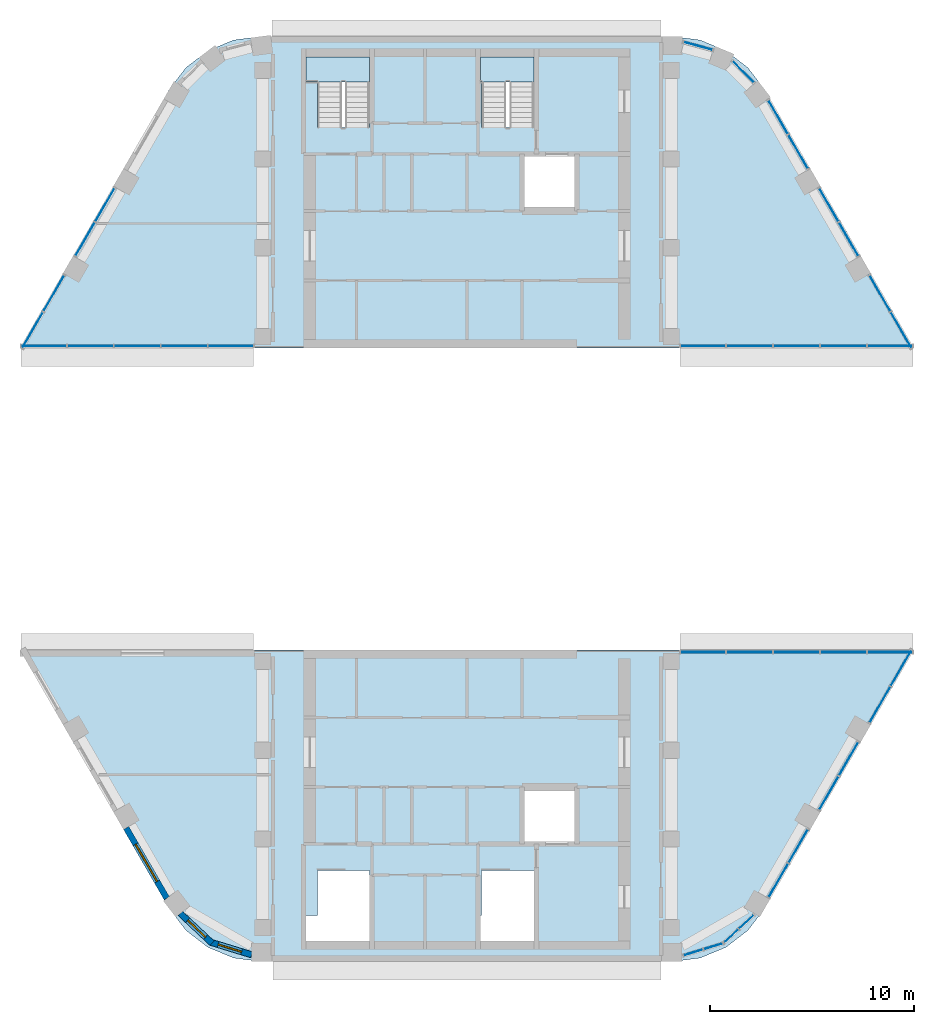
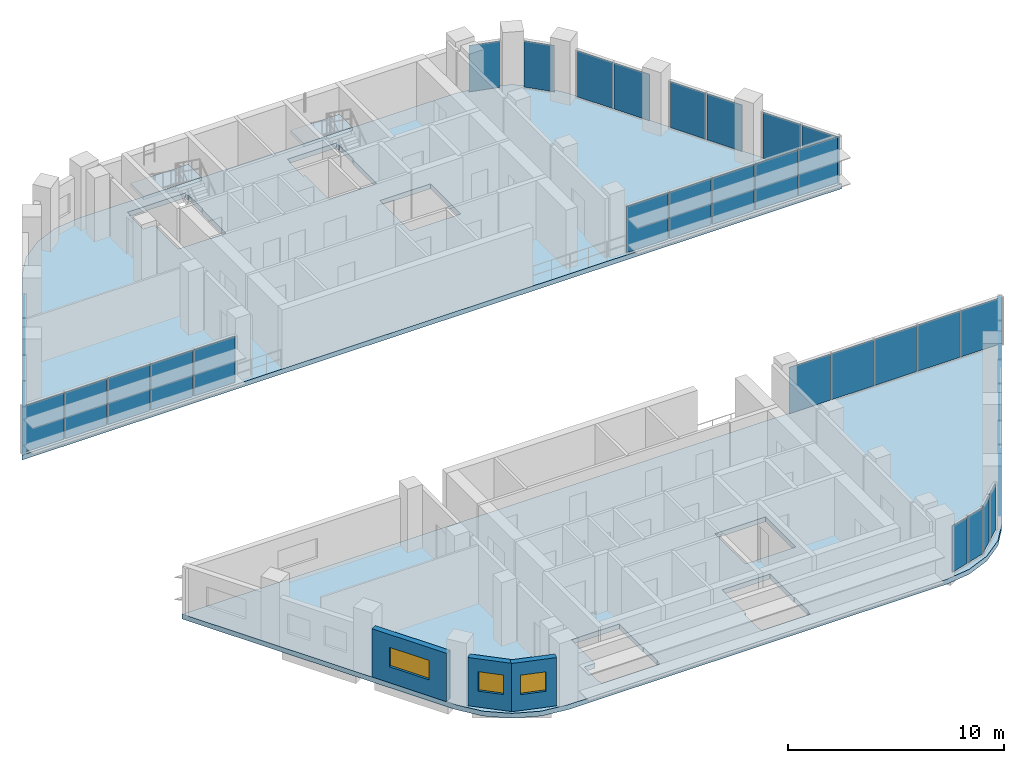
# One storey, part 7 of 13: 37 plates, 4 slabs, 3 walls, 3 windows, 3 openings, 17 elements without a shape of their own.
"""IFC4 building model written with IfcOpenShell, lengths in metres."""

from ifc_helpers import new_model, si_unit, direction, frame, frame_2d, origin, origin_2d, place, context, subcontext, project, spatial, polyline, rectangle, outline, extrude, material, layer, layer_set, type_object, element, fill, aggregate, save


model = new_model("IFC4")

# Units and contexts
model_context = context("Model", 3, precision=1e-05, world=origin(), true_north=direction((0.0, 1.0)))
body_context = subcontext(model_context, "Body", "Model", "MODEL_VIEW")
ifc_project = project(units=[si_unit("LENGTHUNIT", "METRE"), si_unit("AREAUNIT", "SQUARE_METRE"), si_unit("VOLUMEUNIT", "CUBIC_METRE"), si_unit("PLANEANGLEUNIT", "RADIAN"), si_unit("MASSUNIT", "GRAM", prefix="KILO")], contexts=[model_context])

# Site, building, storey
site_placement = place(None, origin())
site = spatial("IfcSite", under=ifc_project, at=site_placement, CompositionType="ELEMENT")
building_placement = place(site_placement, origin())
building = spatial("IfcBuilding", under=site, at=building_placement, Name="Nakaniwa Court", CompositionType="ELEMENT")
storey_placement = place(building_placement, frame((0.0, 0.0, 286.800048828125)))
storey = spatial("IfcBuildingStorey", under=building, at=storey_placement, Name="C05", CompositionType="ELEMENT", Elevation=286.800048828125)

# Slabs
ifc_material_1 = material(Name="Concrete C80/100", Category="concrete")
ifc_layer_1 = layer(ifc_material_1, 0.27490234375)
ifc_layer_set_1 = layer_set([ifc_layer_1], Name="Concrete C80/100")
slab_type_1 = type_object("IfcSlabType", Name="Concrete C80/100 post tensioned floor slab 275", PredefinedType="FLOOR", material=ifc_layer_set_1)
slab_1_placement = place(storey_placement, frame((0.0, 0.0, -0.275146484375)))
element("IfcSlab", 1, at=slab_1_placement, inside=storey, type_object=slab_type_1, Name="FLOOR SLAB", PredefinedType="FLOOR", context=body_context, shape_type="SweptSolid", body=[
    extrude(outline(polyline([(93.751708984375, 58.873046875), (94.578125, 59.949951171875), (101.881591796875, 72.60009765625), (58.118408203125, 72.60009765625), (65.421875, 59.949951171875), (66.248291015625, 58.873046875), (67.3251953125, 58.046630859375), (68.579345703125, 57.527099609375), (69.92529296875, 57.35009765625), (90.07470703125, 57.35009765625), (91.420654296875, 57.527099609375), (92.6748046875, 58.046630859375), (93.751708984375, 58.873046875)]), holes=[polyline([(75.22509765625, 58.31005859375), (75.264892578125, 58.31005859375), (75.264892578125, 59.614990234375), (75.22509765625, 59.614990234375), (75.22509765625, 61.81005859375), (72.675048828125, 61.81005859375), (72.675048828125, 59.614990234375), (72.0849609375, 59.614990234375), (72.0849609375, 58.31005859375), (72.125, 58.31005859375), (72.125, 58.074951171875), (75.22509765625, 58.074951171875), (75.22509765625, 58.31005859375)]), polyline([(83.27490234375, 58.31005859375), (83.31494140625, 58.31005859375), (83.31494140625, 59.614990234375), (83.27490234375, 59.614990234375), (83.27490234375, 61.81005859375), (80.72509765625, 61.81005859375), (80.72509765625, 59.614990234375), (80.635009765625, 59.614990234375), (80.635009765625, 58.31005859375), (80.675048828125, 58.31005859375), (80.675048828125, 58.074951171875), (83.27490234375, 58.074951171875), (83.27490234375, 58.31005859375)]), polyline([(82.699951171875, 63.10009765625), (85.39990234375, 63.10009765625), (85.39990234375, 65.89990234375), (82.699951171875, 65.89990234375), (82.699951171875, 63.10009765625)])]), origin(), (0.0, 0.0, 1.0), 0.275146484375),
])
slab_2_placement = place(storey_placement, frame((0.0, 0.0, -0.275146484375)))
element("IfcSlab", 2, at=slab_2_placement, inside=storey, type_object=slab_type_1, Name="FLOOR SLAB", PredefinedType="FLOOR", context=body_context, shape_type="SweptSolid", body=[
    extrude(outline(polyline([(66.248291015625, 101.126953125), (65.421875, 100.050048828125), (58.118408203125, 87.39990234375), (101.881591796875, 87.39990234375), (94.578125, 100.050048828125), (93.751708984375, 101.126953125), (92.6748046875, 101.953369140625), (91.420654296875, 102.472900390625), (90.07470703125, 102.64990234375), (69.92529296875, 102.64990234375), (68.579345703125, 102.472900390625), (67.3251953125, 101.953369140625), (66.248291015625, 101.126953125)]), holes=[polyline([(85.39990234375, 94.10009765625), (85.39990234375, 96.89990234375), (82.699951171875, 96.89990234375), (82.699951171875, 94.10009765625), (85.39990234375, 94.10009765625)]), polyline([(75.22509765625, 98.18994140625), (75.22509765625, 100.385009765625), (75.264892578125, 100.385009765625), (75.264892578125, 101.68994140625), (75.22509765625, 101.68994140625), (75.22509765625, 101.925048828125), (72.125, 101.925048828125), (72.125, 101.68994140625), (72.0849609375, 101.68994140625), (72.0849609375, 100.385009765625), (72.675048828125, 100.385009765625), (72.675048828125, 98.18994140625), (75.22509765625, 98.18994140625)]), polyline([(83.27490234375, 100.385009765625), (83.31494140625, 100.385009765625), (83.31494140625, 101.68994140625), (83.27490234375, 101.68994140625), (83.27490234375, 101.925048828125), (80.675048828125, 101.925048828125), (80.675048828125, 101.68994140625), (80.635009765625, 101.68994140625), (80.635009765625, 100.385009765625), (80.72509765625, 100.385009765625), (80.72509765625, 98.18994140625), (83.27490234375, 98.18994140625), (83.27490234375, 100.385009765625)])]), origin(), (0.0, 0.0, 1.0), 0.275146484375),
])

# Curtain wall, plates
ifc_material_2 = material(Name="Black anodised aluminium frame with dark low-E laminated double glazing", Category="aluminium")
ifc_layer_2 = layer(ifc_material_2, 0.199951171875)
ifc_layer_set_2 = layer_set([ifc_layer_2], Name="Black anodised aluminium frame with dark low-E laminated double glazing")
curtain_wall_type = type_object("IfcCurtainWallType", Name="Crown curtain wall", PredefinedType="NOTDEFINED", material=ifc_layer_set_2)
curtain_wall_1_placement = place(storey_placement, origin())
curtain_wall_1 = element("IfcCurtainWall", 3, at=curtain_wall_1_placement, inside=storey, type_object=curtain_wall_type, Name="C05 curtain wall CW4 00", PredefinedType="NOTDEFINED")
ifc_material_3 = material(Name="Dark toughened glass", Category="glass")
ifc_layer_3 = layer(ifc_material_3, 0.007, Name="Outer pane")
ifc_material_4 = material(Name="Argon filled cavity")
ifc_layer_4 = layer(ifc_material_4, 0.016, Name="Cavity")
ifc_material_5 = material(Name="Dark laminated safety glass", Category="glass")
ifc_layer_5 = layer(ifc_material_5, 0.007, Name="Inner pane")
ifc_layer_set_3 = layer_set([ifc_layer_3, ifc_layer_4, ifc_layer_5], Name="Dark low-E laminated double glazing")
plate_type = type_object("IfcPlateType", Name="Crown curtain wall glass panel", PredefinedType="CURTAIN_PANEL", material=ifc_layer_set_3)
plate_1_placement = place(storey_placement, frame((95.25537109375, 61.322998046875, 0.05517578125), z_axis=(0.0, 0.0, 1.0), x_axis=(0.499986540445, 0.866033174523, 0.0)))
plate_1 = element("IfcPlate", 4, at=plate_1_placement, type_object=plate_type, Name="CW4 panel 1.1", PredefinedType="CURTAIN_PANEL", context=body_context, shape_type="SweptSolid", body=[
    extrude(rectangle(XDim=1.874755859375, YDim=0.030029296875, at=origin_2d()), origin(), (0.0, 0.0, 1.0), 2.614990234375),
])
plate_2_placement = place(storey_placement, frame((96.22509765625, 63.0029296875, 0.05517578125), z_axis=(0.0, 0.0, 1.0), x_axis=(0.499986540445, 0.866033174523, 0.0)))
plate_2 = element("IfcPlate", 5, at=plate_2_placement, type_object=plate_type, Name="CW4 panel 2.1", PredefinedType="CURTAIN_PANEL", context=body_context, shape_type="SweptSolid", body=[
    extrude(rectangle(XDim=1.874755859375, YDim=0.030029296875, at=origin_2d()), origin(), (0.0, 0.0, 1.0), 2.614990234375),
])
aggregate(curtain_wall_1, [plate_1, plate_2])

curtain_wall_2_placement = place(storey_placement, origin())
curtain_wall_2 = element("IfcCurtainWall", 6, at=curtain_wall_2_placement, inside=storey, type_object=curtain_wall_type, Name="C05 curtain wall CW4 01", PredefinedType="NOTDEFINED")
plate_3_placement = place(storey_placement, frame((97.723388671875, 65.597900390625, 0.05517578125), z_axis=(0.0, 0.0, 1.0), x_axis=(0.499986540445, 0.866033174523, 0.0)))
plate_3 = element("IfcPlate", 7, at=plate_3_placement, type_object=plate_type, Name="CW4 panel 1.1", PredefinedType="CURTAIN_PANEL", context=body_context, shape_type="SweptSolid", body=[
    extrude(rectangle(XDim=1.874755859375, YDim=0.030029296875, at=origin_2d()), origin(), (0.0, 0.0, 1.0), 2.614990234375),
])
plate_4_placement = place(storey_placement, frame((98.693359375, 67.27783203125, 0.05517578125), z_axis=(0.0, 0.0, 1.0), x_axis=(0.499986540445, 0.866033174523, 0.0)))
plate_4 = element("IfcPlate", 8, at=plate_4_placement, type_object=plate_type, Name="CW4 panel 2.1", PredefinedType="CURTAIN_PANEL", context=body_context, shape_type="SweptSolid", body=[
    extrude(rectangle(XDim=1.874755859375, YDim=0.030029296875, at=origin_2d()), origin(), (0.0, 0.0, 1.0), 2.614990234375),
])
aggregate(curtain_wall_2, [plate_3, plate_4])

curtain_wall_3_placement = place(storey_placement, origin())
curtain_wall_3 = element("IfcCurtainWall", 9, at=curtain_wall_3_placement, inside=storey, type_object=curtain_wall_type, Name="C05 curtain wall CW4 02", PredefinedType="NOTDEFINED")
plate_5_placement = place(storey_placement, frame((100.224609375, 69.93017578125, 0.05517578125), z_axis=(0.0, 0.0, 1.0), x_axis=(0.500007626024, 0.866021000852, 0.0)))
plate_5 = element("IfcPlate", 10, at=plate_5_placement, type_object=plate_type, Name="CW4 panel 1.1", PredefinedType="CURTAIN_PANEL", context=body_context, shape_type="SweptSolid", body=[
    extrude(rectangle(XDim=2.007080078125, YDim=0.030029296875, at=origin_2d()), origin(), (0.0, 0.0, 1.0), 2.614990234375),
])
plate_6_placement = place(storey_placement, frame((101.2607421875, 71.724609375, 0.05517578125), z_axis=(0.0, 0.0, 1.0), x_axis=(0.500007626024, 0.866021000852, 0.0)))
plate_6 = element("IfcPlate", 11, at=plate_6_placement, type_object=plate_type, Name="CW4 panel 2.1", PredefinedType="CURTAIN_PANEL", context=body_context, shape_type="SweptSolid", body=[
    extrude(rectangle(XDim=2.007080078125, YDim=0.030029296875, at=origin_2d()), origin(), (0.0, 0.0, 1.0), 2.614990234375),
])
aggregate(curtain_wall_3, [plate_5, plate_6])

curtain_wall_4_placement = place(storey_placement, origin())
curtain_wall_4 = element("IfcCurtainWall", 12, at=curtain_wall_4_placement, inside=storey, type_object=curtain_wall_type, Name="C05 curtain wall CW4 03", PredefinedType="NOTDEFINED")
plate_7_placement = place(storey_placement, frame((100.716796875, 72.5, 0.05517578125), z_axis=(0.0, 0.0, 1.0), x_axis=(-1.0, 0.0, 0.0)))
plate_7 = element("IfcPlate", 13, at=plate_7_placement, type_object=plate_type, Name="CW4 panel 1.1", PredefinedType="CURTAIN_PANEL", context=body_context, shape_type="SweptSolid", body=[
    extrude(rectangle(XDim=2.19970703125, YDim=0.030029296875, at=origin_2d()), origin(), (0.0, 0.0, 1.0), 2.614990234375),
])
plate_8_placement = place(storey_placement, frame((98.43603515625, 72.5, 0.05517578125), z_axis=(0.0, 0.0, 1.0), x_axis=(-1.0, 0.0, 0.0)))
plate_8 = element("IfcPlate", 14, at=plate_8_placement, type_object=plate_type, Name="CW4 panel 2.1", PredefinedType="CURTAIN_PANEL", context=body_context, shape_type="SweptSolid", body=[
    extrude(rectangle(XDim=2.232177734375, YDim=0.030029296875, at=origin_2d()), origin(), (0.0, 0.0, 1.0), 2.614990234375),
])
plate_9_placement = place(storey_placement, frame((96.138916015625, 72.5, 0.05517578125), z_axis=(0.0, 0.0, 1.0), x_axis=(-1.0, 0.0, 0.0)))
plate_9 = element("IfcPlate", 15, at=plate_9_placement, type_object=plate_type, Name="CW4 panel 3.1", PredefinedType="CURTAIN_PANEL", context=body_context, shape_type="SweptSolid", body=[
    extrude(rectangle(XDim=2.232177734375, YDim=0.030029296875, at=origin_2d()), origin(), (0.0, 0.0, 1.0), 2.614990234375),
])
plate_10_placement = place(storey_placement, frame((93.841796875, 72.5, 0.05517578125), z_axis=(0.0, 0.0, 1.0), x_axis=(-1.0, 0.0, 0.0)))
plate_10 = element("IfcPlate", 16, at=plate_10_placement, type_object=plate_type, Name="CW4 panel 4.1", PredefinedType="CURTAIN_PANEL", context=body_context, shape_type="SweptSolid", body=[
    extrude(rectangle(XDim=2.232177734375, YDim=0.030029296875, at=origin_2d()), origin(), (0.0, 0.0, 1.0), 2.614990234375),
])
plate_11_placement = place(storey_placement, frame((91.560791015625, 72.5, 0.05517578125), z_axis=(0.0, 0.0, 1.0), x_axis=(-1.0, 0.0, 0.0)))
plate_11 = element("IfcPlate", 17, at=plate_11_placement, type_object=plate_type, Name="CW4 panel 5.1", PredefinedType="CURTAIN_PANEL", context=body_context, shape_type="SweptSolid", body=[
    extrude(rectangle(XDim=2.19970703125, YDim=0.030029296875, at=origin_2d()), origin(), (0.0, 0.0, 1.0), 2.614990234375),
])
aggregate(curtain_wall_4, [plate_7, plate_8, plate_9, plate_10, plate_11])

curtain_wall_5_placement = place(storey_placement, origin())
curtain_wall_5 = element("IfcCurtainWall", 18, at=curtain_wall_5_placement, inside=storey, type_object=curtain_wall_type, Name="C05 curtain wall CW4 11", PredefinedType="NOTDEFINED")
plate_12_placement = place(storey_placement, frame((91.080322265625, 57.797607421875, 0.05517578125), z_axis=(0.0, 0.0, 1.0), x_axis=(0.956093974267, 0.293060253821, 0.0)))
plate_12 = element("IfcPlate", 19, at=plate_12_placement, type_object=plate_type, Name="CW4 panel 1.1", PredefinedType="CURTAIN_PANEL", context=body_context, shape_type="SweptSolid", body=[
    extrude(rectangle(XDim=0.978271484375, YDim=0.030029296875, at=origin_2d()), origin(), (0.0, 0.0, 1.0), 2.614990234375),
])
plate_13_placement = place(storey_placement, frame((92.077880859375, 58.103271484375, 0.05517578125), z_axis=(0.0, 0.0, 1.0), x_axis=(0.956093974267, 0.293060253821, 0.0)))
plate_13 = element("IfcPlate", 20, at=plate_13_placement, type_object=plate_type, Name="CW4 panel 2.1", PredefinedType="CURTAIN_PANEL", context=body_context, shape_type="SweptSolid", body=[
    extrude(rectangle(XDim=0.978271484375, YDim=0.030029296875, at=origin_2d()), origin(), (0.0, 0.0, 1.0), 2.614990234375),
])
aggregate(curtain_wall_5, [plate_12, plate_13])

curtain_wall_6_placement = place(storey_placement, origin())
curtain_wall_6 = element("IfcCurtainWall", 21, at=curtain_wall_6_placement, inside=storey, type_object=curtain_wall_type, Name="C05 curtain wall CW4 12", PredefinedType="NOTDEFINED")
plate_14_placement = place(storey_placement, frame((92.923828125, 58.590576171875, 0.05517578125), z_axis=(0.0, 0.0, 1.0), x_axis=(0.732114316001, 0.681181788002, 0.0)))
plate_14 = element("IfcPlate", 22, at=plate_14_placement, type_object=plate_type, Name="CW4 panel 1.1", PredefinedType="CURTAIN_PANEL", context=body_context, shape_type="SweptSolid", body=[
    extrude(rectangle(XDim=0.9755859375, YDim=0.030029296875, at=origin_2d()), origin(), (0.0, 0.0, 1.0), 2.614990234375),
])
plate_15_placement = place(storey_placement, frame((93.685546875, 59.29931640625, 0.05517578125), z_axis=(0.0, 0.0, 1.0), x_axis=(0.732114316001, 0.681181788002, 0.0)))
plate_15 = element("IfcPlate", 23, at=plate_15_placement, type_object=plate_type, Name="CW4 panel 2.1", PredefinedType="CURTAIN_PANEL", context=body_context, shape_type="SweptSolid", body=[
    extrude(rectangle(XDim=0.9755859375, YDim=0.030029296875, at=origin_2d()), origin(), (0.0, 0.0, 1.0), 2.614990234375),
])
aggregate(curtain_wall_6, [plate_14, plate_15])

curtain_wall_7_placement = place(storey_placement, origin())
curtain_wall_7 = element("IfcCurtainWall", 24, at=curtain_wall_7_placement, inside=storey, type_object=curtain_wall_type, Name="C05 curtain wall CW4 14", PredefinedType="NOTDEFINED")
plate_16_placement = place(storey_placement, frame((62.276611328125, 94.402099609375, 0.05517578125), z_axis=(0.0, 0.0, 1.0), x_axis=(-0.499986540445, -0.866033174523, 0.0)))
plate_16 = element("IfcPlate", 25, at=plate_16_placement, type_object=plate_type, Name="CW4 panel 1.1", PredefinedType="CURTAIN_PANEL", context=body_context, shape_type="SweptSolid", body=[
    extrude(rectangle(XDim=1.874755859375, YDim=0.030029296875, at=origin_2d()), origin(), (0.0, 0.0, 1.0), 2.614990234375),
])
plate_17_placement = place(storey_placement, frame((61.306640625, 92.72216796875, 0.05517578125), z_axis=(0.0, 0.0, 1.0), x_axis=(-0.499986540445, -0.866033174523, 0.0)))
plate_17 = element("IfcPlate", 26, at=plate_17_placement, type_object=plate_type, Name="CW4 panel 2.1", PredefinedType="CURTAIN_PANEL", context=body_context, shape_type="SweptSolid", body=[
    extrude(rectangle(XDim=1.874755859375, YDim=0.030029296875, at=origin_2d()), origin(), (0.0, 0.0, 1.0), 2.614990234375),
])
aggregate(curtain_wall_7, [plate_16, plate_17])

curtain_wall_8_placement = place(storey_placement, origin())
curtain_wall_8 = element("IfcCurtainWall", 27, at=curtain_wall_8_placement, inside=storey, type_object=curtain_wall_type, Name="C05 curtain wall CW4 15", PredefinedType="NOTDEFINED")
plate_18_placement = place(storey_placement, frame((59.775390625, 90.06982421875, 0.05517578125), z_axis=(0.0, 0.0, 1.0), x_axis=(-0.500007626024, -0.866021000852, 0.0)))
plate_18 = element("IfcPlate", 28, at=plate_18_placement, type_object=plate_type, Name="CW4 panel 1.1", PredefinedType="CURTAIN_PANEL", context=body_context, shape_type="SweptSolid", body=[
    extrude(rectangle(XDim=2.007080078125, YDim=0.030029296875, at=origin_2d()), origin(), (0.0, 0.0, 1.0), 2.614990234375),
])
plate_19_placement = place(storey_placement, frame((58.7392578125, 88.275390625, 0.05517578125), z_axis=(0.0, 0.0, 1.0), x_axis=(-0.500007626024, -0.866021000852, 0.0)))
plate_19 = element("IfcPlate", 29, at=plate_19_placement, type_object=plate_type, Name="CW4 panel 2.1", PredefinedType="CURTAIN_PANEL", context=body_context, shape_type="SweptSolid", body=[
    extrude(rectangle(XDim=2.007080078125, YDim=0.030029296875, at=origin_2d()), origin(), (0.0, 0.0, 1.0), 2.614990234375),
])
aggregate(curtain_wall_8, [plate_18, plate_19])

curtain_wall_9_placement = place(storey_placement, origin())
curtain_wall_9 = element("IfcCurtainWall", 30, at=curtain_wall_9_placement, inside=storey, type_object=curtain_wall_type, Name="C05 curtain wall CW4 16", PredefinedType="NOTDEFINED")
plate_20_placement = place(storey_placement, frame((59.283203125, 87.5, 0.05517578125), z_axis=(0.0, 0.0, 1.0), x_axis=(1.0, 0.0, 0.0)))
plate_20 = element("IfcPlate", 31, at=plate_20_placement, type_object=plate_type, Name="CW4 panel 1.1", PredefinedType="CURTAIN_PANEL", context=body_context, shape_type="SweptSolid", body=[
    extrude(rectangle(XDim=2.19970703125, YDim=0.030029296875, at=origin_2d()), origin(), (0.0, 0.0, 1.0), 2.614990234375),
])
plate_21_placement = place(storey_placement, frame((61.56396484375, 87.5, 0.05517578125), z_axis=(0.0, 0.0, 1.0), x_axis=(1.0, 0.0, 0.0)))
plate_21 = element("IfcPlate", 32, at=plate_21_placement, type_object=plate_type, Name="CW4 panel 2.1", PredefinedType="CURTAIN_PANEL", context=body_context, shape_type="SweptSolid", body=[
    extrude(rectangle(XDim=2.232177734375, YDim=0.030029296875, at=origin_2d()), origin(), (0.0, 0.0, 1.0), 2.614990234375),
])
plate_22_placement = place(storey_placement, frame((63.861083984375, 87.5, 0.05517578125), z_axis=(0.0, 0.0, 1.0), x_axis=(1.0, 0.0, 0.0)))
plate_22 = element("IfcPlate", 33, at=plate_22_placement, type_object=plate_type, Name="CW4 panel 3.1", PredefinedType="CURTAIN_PANEL", context=body_context, shape_type="SweptSolid", body=[
    extrude(rectangle(XDim=2.232177734375, YDim=0.030029296875, at=origin_2d()), origin(), (0.0, 0.0, 1.0), 2.614990234375),
])
plate_23_placement = place(storey_placement, frame((66.158203125, 87.5, 0.05517578125), z_axis=(0.0, 0.0, 1.0), x_axis=(1.0, 0.0, 0.0)))
plate_23 = element("IfcPlate", 34, at=plate_23_placement, type_object=plate_type, Name="CW4 panel 4.1", PredefinedType="CURTAIN_PANEL", context=body_context, shape_type="SweptSolid", body=[
    extrude(rectangle(XDim=2.232177734375, YDim=0.030029296875, at=origin_2d()), origin(), (0.0, 0.0, 1.0), 2.614990234375),
])
plate_24_placement = place(storey_placement, frame((68.439208984375, 87.5, 0.05517578125), z_axis=(0.0, 0.0, 1.0), x_axis=(1.0, 0.0, 0.0)))
plate_24 = element("IfcPlate", 35, at=plate_24_placement, type_object=plate_type, Name="CW4 panel 5.1", PredefinedType="CURTAIN_PANEL", context=body_context, shape_type="SweptSolid", body=[
    extrude(rectangle(XDim=2.19970703125, YDim=0.030029296875, at=origin_2d()), origin(), (0.0, 0.0, 1.0), 2.614990234375),
])
aggregate(curtain_wall_9, [plate_20, plate_21, plate_22, plate_23, plate_24])

curtain_wall_10_placement = place(storey_placement, origin())
curtain_wall_10 = element("IfcCurtainWall", 36, at=curtain_wall_10_placement, inside=storey, type_object=curtain_wall_type, Name="C05 curtain wall CW4 17", PredefinedType="NOTDEFINED")
plate_25_placement = place(storey_placement, frame((91.560791015625, 87.5, 0.05517578125), z_axis=(0.0, 0.0, 1.0), x_axis=(1.0, 0.0, 0.0)))
plate_25 = element("IfcPlate", 37, at=plate_25_placement, type_object=plate_type, Name="CW4 panel 1.1", PredefinedType="CURTAIN_PANEL", context=body_context, shape_type="SweptSolid", body=[
    extrude(rectangle(XDim=2.19970703125, YDim=0.030029296875, at=origin_2d()), origin(), (0.0, 0.0, 1.0), 2.614990234375),
])
plate_26_placement = place(storey_placement, frame((93.841796875, 87.5, 0.05517578125), z_axis=(0.0, 0.0, 1.0), x_axis=(1.0, 0.0, 0.0)))
plate_26 = element("IfcPlate", 38, at=plate_26_placement, type_object=plate_type, Name="CW4 panel 2.1", PredefinedType="CURTAIN_PANEL", context=body_context, shape_type="SweptSolid", body=[
    extrude(rectangle(XDim=2.232177734375, YDim=0.030029296875, at=origin_2d()), origin(), (0.0, 0.0, 1.0), 2.614990234375),
])
plate_27_placement = place(storey_placement, frame((96.138916015625, 87.5, 0.05517578125), z_axis=(0.0, 0.0, 1.0), x_axis=(1.0, 0.0, 0.0)))
plate_27 = element("IfcPlate", 39, at=plate_27_placement, type_object=plate_type, Name="CW4 panel 3.1", PredefinedType="CURTAIN_PANEL", context=body_context, shape_type="SweptSolid", body=[
    extrude(rectangle(XDim=2.232177734375, YDim=0.030029296875, at=origin_2d()), origin(), (0.0, 0.0, 1.0), 2.614990234375),
])
plate_28_placement = place(storey_placement, frame((98.43603515625, 87.5, 0.05517578125), z_axis=(0.0, 0.0, 1.0), x_axis=(1.0, 0.0, 0.0)))
plate_28 = element("IfcPlate", 40, at=plate_28_placement, type_object=plate_type, Name="CW4 panel 4.1", PredefinedType="CURTAIN_PANEL", context=body_context, shape_type="SweptSolid", body=[
    extrude(rectangle(XDim=2.232177734375, YDim=0.030029296875, at=origin_2d()), origin(), (0.0, 0.0, 1.0), 2.614990234375),
])
plate_29_placement = place(storey_placement, frame((100.716796875, 87.5, 0.05517578125), z_axis=(0.0, 0.0, 1.0), x_axis=(1.0, 0.0, 0.0)))
plate_29 = element("IfcPlate", 41, at=plate_29_placement, type_object=plate_type, Name="CW4 panel 5.1", PredefinedType="CURTAIN_PANEL", context=body_context, shape_type="SweptSolid", body=[
    extrude(rectangle(XDim=2.19970703125, YDim=0.030029296875, at=origin_2d()), origin(), (0.0, 0.0, 1.0), 2.614990234375),
])
aggregate(curtain_wall_10, [plate_25, plate_26, plate_27, plate_28, plate_29])

curtain_wall_11_placement = place(storey_placement, origin())
curtain_wall_11 = element("IfcCurtainWall", 42, at=curtain_wall_11_placement, inside=storey, type_object=curtain_wall_type, Name="C05 curtain wall CW4 18", PredefinedType="NOTDEFINED")
plate_30_placement = place(storey_placement, frame((101.2607421875, 88.275390625, 0.05517578125), z_axis=(0.0, 0.0, 1.0), x_axis=(-0.500007626024, 0.866021000852, 0.0)))
plate_30 = element("IfcPlate", 43, at=plate_30_placement, type_object=plate_type, Name="CW4 panel 1.1", PredefinedType="CURTAIN_PANEL", context=body_context, shape_type="SweptSolid", body=[
    extrude(rectangle(XDim=2.007080078125, YDim=0.030029296875, at=origin_2d()), origin(), (0.0, 0.0, 1.0), 2.614990234375),
])
plate_31_placement = place(storey_placement, frame((100.224609375, 90.06982421875, 0.05517578125), z_axis=(0.0, 0.0, 1.0), x_axis=(-0.500007626024, 0.866021000852, 0.0)))
plate_31 = element("IfcPlate", 44, at=plate_31_placement, type_object=plate_type, Name="CW4 panel 2.1", PredefinedType="CURTAIN_PANEL", context=body_context, shape_type="SweptSolid", body=[
    extrude(rectangle(XDim=2.007080078125, YDim=0.030029296875, at=origin_2d()), origin(), (0.0, 0.0, 1.0), 2.614990234375),
])
aggregate(curtain_wall_11, [plate_30, plate_31])

curtain_wall_12_placement = place(storey_placement, origin())
curtain_wall_12 = element("IfcCurtainWall", 45, at=curtain_wall_12_placement, inside=storey, type_object=curtain_wall_type, Name="C05 curtain wall CW4 19", PredefinedType="NOTDEFINED")
plate_32_placement = place(storey_placement, frame((98.693359375, 92.72216796875, 0.05517578125), z_axis=(0.0, 0.0, 1.0), x_axis=(-0.499986540445, 0.866033174523, 0.0)))
plate_32 = element("IfcPlate", 46, at=plate_32_placement, type_object=plate_type, Name="CW4 panel 1.1", PredefinedType="CURTAIN_PANEL", context=body_context, shape_type="SweptSolid", body=[
    extrude(rectangle(XDim=1.874755859375, YDim=0.030029296875, at=origin_2d()), origin(), (0.0, 0.0, 1.0), 2.614990234375),
])
plate_33_placement = place(storey_placement, frame((97.723388671875, 94.402099609375, 0.05517578125), z_axis=(0.0, 0.0, 1.0), x_axis=(-0.499986540445, 0.866033174523, 0.0)))
plate_33 = element("IfcPlate", 47, at=plate_33_placement, type_object=plate_type, Name="CW4 panel 2.1", PredefinedType="CURTAIN_PANEL", context=body_context, shape_type="SweptSolid", body=[
    extrude(rectangle(XDim=1.874755859375, YDim=0.030029296875, at=origin_2d()), origin(), (0.0, 0.0, 1.0), 2.614990234375),
])
aggregate(curtain_wall_12, [plate_32, plate_33])

curtain_wall_13_placement = place(storey_placement, origin())
curtain_wall_13 = element("IfcCurtainWall", 48, at=curtain_wall_13_placement, inside=storey, type_object=curtain_wall_type, Name="C05 curtain wall CW4 20", PredefinedType="NOTDEFINED")
plate_34_placement = place(storey_placement, frame((96.220703125, 97.004638671875, 0.05517578125), z_axis=(0.0, 0.0, 1.0), x_axis=(-0.499995809815, 0.866027822975, 0.0)))
plate_34 = element("IfcPlate", 49, at=plate_34_placement, type_object=plate_type, Name="CW4 panel 1.1", PredefinedType="CURTAIN_PANEL", context=body_context, shape_type="SweptSolid", body=[
    extrude(rectangle(XDim=1.892333984375, YDim=0.030029296875, at=origin_2d()), origin(), (0.0, 0.0, 1.0), 2.614990234375),
])
plate_35_placement = place(storey_placement, frame((95.2421875, 98.69970703125, 0.05517578125), z_axis=(0.0, 0.0, 1.0), x_axis=(-0.499995809815, 0.866027822975, 0.0)))
plate_35 = element("IfcPlate", 50, at=plate_35_placement, type_object=plate_type, Name="CW4 panel 2.1", PredefinedType="CURTAIN_PANEL", context=body_context, shape_type="SweptSolid", body=[
    extrude(rectangle(XDim=1.892333984375, YDim=0.030029296875, at=origin_2d()), origin(), (0.0, 0.0, 1.0), 2.614990234375),
])
aggregate(curtain_wall_13, [plate_34, plate_35])

# Curtain wall, plate
curtain_wall_14_placement = place(storey_placement, origin())
curtain_wall_14 = element("IfcCurtainWall", 51, at=curtain_wall_14_placement, inside=storey, type_object=curtain_wall_type, Name="C05 curtain wall CW4 21", PredefinedType="NOTDEFINED")
plate_36_placement = place(storey_placement, frame((93.536865234375, 100.9208984375, 0.05517578125), z_axis=(0.0, 0.0, 1.0), x_axis=(-0.699240623143, 0.714886390238, 0.0)))
plate_36 = element("IfcPlate", 52, at=plate_36_placement, type_object=plate_type, Name="CW4 panel 1.1", PredefinedType="CURTAIN_PANEL", context=body_context, shape_type="SweptSolid", body=[
    extrude(rectangle(XDim=1.4677734375, YDim=0.030029296875, at=origin_2d()), origin(), (0.0, 0.0, 1.0), 2.614990234375),
])
aggregate(curtain_wall_14, [plate_36])

curtain_wall_15_placement = place(storey_placement, origin())
curtain_wall_15 = element("IfcCurtainWall", 53, at=curtain_wall_15_placement, inside=storey, type_object=curtain_wall_type, Name="C05 curtain wall CW4 22", PredefinedType="NOTDEFINED")
plate_37_placement = place(storey_placement, frame((91.31591796875, 102.18505859375, 0.05517578125), z_axis=(0.0, 0.0, 1.0), x_axis=(-0.965375472235, 0.26086432797, 0.0)))
plate_37 = element("IfcPlate", 54, at=plate_37_placement, type_object=plate_type, Name="CW4 panel 1.1", PredefinedType="CURTAIN_PANEL", context=body_context, shape_type="SweptSolid", body=[
    extrude(rectangle(XDim=1.44775390625, YDim=0.030029296875, at=origin_2d()), origin(), (0.0, 0.0, 1.0), 2.614990234375),
])
aggregate(curtain_wall_15, [plate_37])

# Stair, slab
stair_type = type_object("IfcStairType", Name="Dog leg stair 1200 wide 20 risers", PredefinedType="HALF_TURN_STAIR", material=ifc_material_1)
stair_1_placement = place(storey_placement, origin())
stair_1 = element("IfcStair", 55, at=stair_1_placement, inside=storey, type_object=stair_type, Name="C05 Stair ST1", PredefinedType="HALF_TURN_STAIR")
ifc_layer_6 = layer(ifc_material_1, 0.199951171875)
ifc_layer_set_4 = layer_set([ifc_layer_6], Name="Concrete C80/100")
slab_type_2 = type_object("IfcSlabType", Name="Stair landing concrete", PredefinedType="LANDING", material=ifc_layer_set_4)
slab_3_placement = place(storey_placement, frame((0.0, 0.0, 1.599853515625)))
slab_3 = element("IfcSlab", 56, at=slab_3_placement, type_object=slab_type_2, Name="ST1 landing 1", PredefinedType="LANDING", context=body_context, shape_type="SweptSolid", body=[
    extrude(outline(polyline([(75.22509765625, 100.425048828125), (75.22509765625, 101.64990234375), (72.125, 101.64990234375), (72.125, 100.425048828125), (75.22509765625, 100.425048828125)])), origin(), (0.0, 0.0, 1.0), 0.2001953125),
])
aggregate(stair_1, [slab_3])

stair_2_placement = place(storey_placement, origin())
stair_2 = element("IfcStair", 57, at=stair_2_placement, inside=storey, type_object=stair_type, Name="C05 Stair ST2", PredefinedType="HALF_TURN_STAIR")
slab_4_placement = place(storey_placement, frame((0.0, 0.0, 1.599853515625)))
slab_4 = element("IfcSlab", 58, at=slab_4_placement, type_object=slab_type_2, Name="ST2 landing 1", PredefinedType="LANDING", context=body_context, shape_type="SweptSolid", body=[
    extrude(outline(polyline([(83.27490234375, 100.425048828125), (83.27490234375, 101.64990234375), (80.675048828125, 101.64990234375), (80.675048828125, 100.425048828125), (83.27490234375, 100.425048828125)])), origin(), (0.0, 0.0, 1.0), 0.2001953125),
])
aggregate(stair_2, [slab_4])

# Wall, opening, window
ifc_material_6 = material(Name="Charcoal ceramic cladding")
ifc_layer_7 = layer(ifc_material_6, 0.02, Name="Ceramic cladding")
ifc_material_7 = material(Name="Ventilated air cavity")
ifc_layer_8 = layer(ifc_material_7, 0.04, ventilated=True, Name="Ventilated cavity")
ifc_material_8 = material(Name="Mineral wool insulation")
ifc_layer_9 = layer(ifc_material_8, 0.1, Name="Insulation")
ifc_material_9 = material(Name="Cement bonded sheathing board")
ifc_layer_10 = layer(ifc_material_9, 0.012, Name="Sheathing")
ifc_material_10 = material(Name="Cold-formed galvanised stud frame with mineral wool infill")
ifc_layer_11 = layer(ifc_material_10, 0.1, Name="Stud frame")
ifc_material_11 = material(Name="Fire-rated gypsum plasterboard lining")
ifc_layer_12 = layer(ifc_material_11, 0.028, Name="Lining")
ifc_layer_set_5 = layer_set([ifc_layer_7, ifc_layer_8, ifc_layer_9, ifc_layer_10, ifc_layer_11, ifc_layer_12], Name="Charcoal ceramic faced external wall system")
wall_type = type_object("IfcWallType", Name="Black ceramic faced external wall 300", PredefinedType="SOLIDWALL", material=ifc_layer_set_5)
wall_1_placement = place(storey_placement, frame((63.31689453125, 63.89599609375, 0.0), z_axis=(0.0, 0.0, 1.0), x_axis=(0.500005687176, -0.866022120267, 0.0)))
wall_1 = element("IfcWall", 59, at=wall_1_placement, inside=storey, type_object=wall_type, Name="C05 external wall 07", PredefinedType="SOLIDWALL", context=body_context, shape_type="SweptSolid", body=[
    extrude(rectangle(XDim=3.9794921875, YDim=0.300048828125, at=frame_2d((1.98974609375, 0.0))), origin(), (0.0, 0.0, 1.0), 2.724853515625),
])
opening_1_placement = place(wall_1_placement, frame((0.928466796875, 0.0, 0.89990234375)))
opening_1 = element("IfcOpeningElement", 60, at=opening_1_placement, cuts=wall_1, Name="Opening W7.05", PredefinedType="OPENING", context=body_context, shape_type="SweptSolid", body=[
    extrude(rectangle(XDim=2.10009765625, YDim=1.10009765625, at=frame_2d((1.050048828125, 0.550048828125))), frame((0.0, 0.159912109375, 0.0), z_axis=(0.0, -1.0, 0.0), x_axis=(1.0, 0.0, 0.0)), (0.0, 0.0, 1.0), 0.320068359375),
])
window_type_1 = type_object("IfcWindowType", Name="Dark glass window 2100x1100 sill 900", PartitioningType="SINGLE_PANEL", PredefinedType="WINDOW", material=ifc_material_2)
window_1_placement = place(opening_1_placement, origin())
window_1 = element("IfcWindow", 61, at=window_1_placement, inside=storey, type_object=window_type_1, Name="C05 habitable room window 07-0", OverallHeight=1.10009765625, OverallWidth=2.10009765625, PartitioningType="SINGLE_PANEL", PredefinedType="WINDOW", context=body_context, shape_type="SweptSolid", body=[
    extrude(rectangle(XDim=2.10009765625, YDim=1.10009765625, at=frame_2d((1.050048828125, 0.550048828125))), frame((0.0, 0.030029296875, 0.0), z_axis=(0.0, -1.0, 0.0), x_axis=(1.0, 0.0, 0.0)), (0.0, 0.0, 1.0), 0.06005859375),
])
fill(opening_1, window_1)

wall_2_placement = place(storey_placement, frame((65.9697265625, 59.7080078125, 0.0), z_axis=(0.0, 0.0, 1.0), x_axis=(0.72926487109, -0.684231501609, 0.0)))
wall_2 = element("IfcWall", 62, at=wall_2_placement, inside=storey, type_object=wall_type, Name="C05 external wall 08", PredefinedType="SOLIDWALL", context=body_context, shape_type="SweptSolid", body=[
    extrude(rectangle(XDim=2.125244140625, YDim=0.300048828125, at=frame_2d((1.0625, 0.0))), origin(), (0.0, 0.0, 1.0), 2.724853515625),
])
opening_2_placement = place(wall_2_placement, frame((0.488525390625, 0.0, 0.89990234375)))
opening_2 = element("IfcOpeningElement", 63, at=opening_2_placement, cuts=wall_2, Name="Opening W6.06", PredefinedType="OPENING", context=body_context, shape_type="SweptSolid", body=[
    extrude(rectangle(XDim=1.199951171875, YDim=1.10009765625, at=frame_2d((0.60009765625, 0.550048828125))), frame((0.0, 0.159912109375, 0.0), z_axis=(0.0, -1.0, 0.0), x_axis=(1.0, 0.0, 0.0)), (0.0, 0.0, 1.0), 0.320068359375),
])
window_type_2 = type_object("IfcWindowType", Name="Dark glass window 1200x1100 sill 900", PartitioningType="SINGLE_PANEL", PredefinedType="WINDOW", material=ifc_material_2)
window_2_placement = place(opening_2_placement, origin())
window_2 = element("IfcWindow", 64, at=window_2_placement, inside=storey, type_object=window_type_2, Name="C05 habitable room window 08-0", OverallHeight=1.10009765625, OverallWidth=1.199951171875, PartitioningType="SINGLE_PANEL", PredefinedType="WINDOW", context=body_context, shape_type="SweptSolid", body=[
    extrude(rectangle(XDim=1.199951171875, YDim=1.10009765625, at=frame_2d((0.60009765625, 0.550048828125))), frame((0.0, 0.030029296875, 0.0), z_axis=(0.0, -1.0, 0.0), x_axis=(1.0, 0.0, 0.0)), (0.0, 0.0, 1.0), 0.06005859375),
])
fill(opening_2, window_2)

wall_3_placement = place(storey_placement, frame((67.406982421875, 58.31298828125, 0.0), z_axis=(0.0, 0.0, 1.0), x_axis=(0.955955937739, -0.293510212944, 0.0)))
wall_3 = element("IfcWall", 65, at=wall_3_placement, inside=storey, type_object=wall_type, Name="C05 external wall 09", PredefinedType="SOLIDWALL", context=body_context, shape_type="SweptSolid", body=[
    extrude(rectangle(XDim=2.14599609375, YDim=0.300048828125, at=frame_2d((1.072998046875, 0.0))), origin(), (0.0, 0.0, 1.0), 2.724853515625),
])
opening_3_placement = place(wall_3_placement, frame((0.4345703125, 0.0, 0.89990234375)))
opening_3 = element("IfcOpeningElement", 66, at=opening_3_placement, cuts=wall_3, Name="Opening W6.07", PredefinedType="OPENING", context=body_context, shape_type="SweptSolid", body=[
    extrude(rectangle(XDim=1.199951171875, YDim=1.10009765625, at=frame_2d((0.60009765625, 0.550048828125))), frame((0.0, 0.159912109375, 0.0), z_axis=(0.0, -1.0, 0.0), x_axis=(1.0, 0.0, 0.0)), (0.0, 0.0, 1.0), 0.320068359375),
])
window_3_placement = place(opening_3_placement, origin())
window_3 = element("IfcWindow", 67, at=window_3_placement, inside=storey, type_object=window_type_2, Name="C05 habitable room window 09-0", OverallHeight=1.10009765625, OverallWidth=1.199951171875, PartitioningType="SINGLE_PANEL", PredefinedType="WINDOW", context=body_context, shape_type="SweptSolid", body=[
    extrude(rectangle(XDim=1.199951171875, YDim=1.10009765625, at=frame_2d((0.60009765625, 0.550048828125))), frame((0.0, 0.030029296875, 0.0), z_axis=(0.0, -1.0, 0.0), x_axis=(1.0, 0.0, 0.0)), (0.0, 0.0, 1.0), 0.06005859375),
])
fill(opening_3, window_3)

save(model, "model.ifc")
